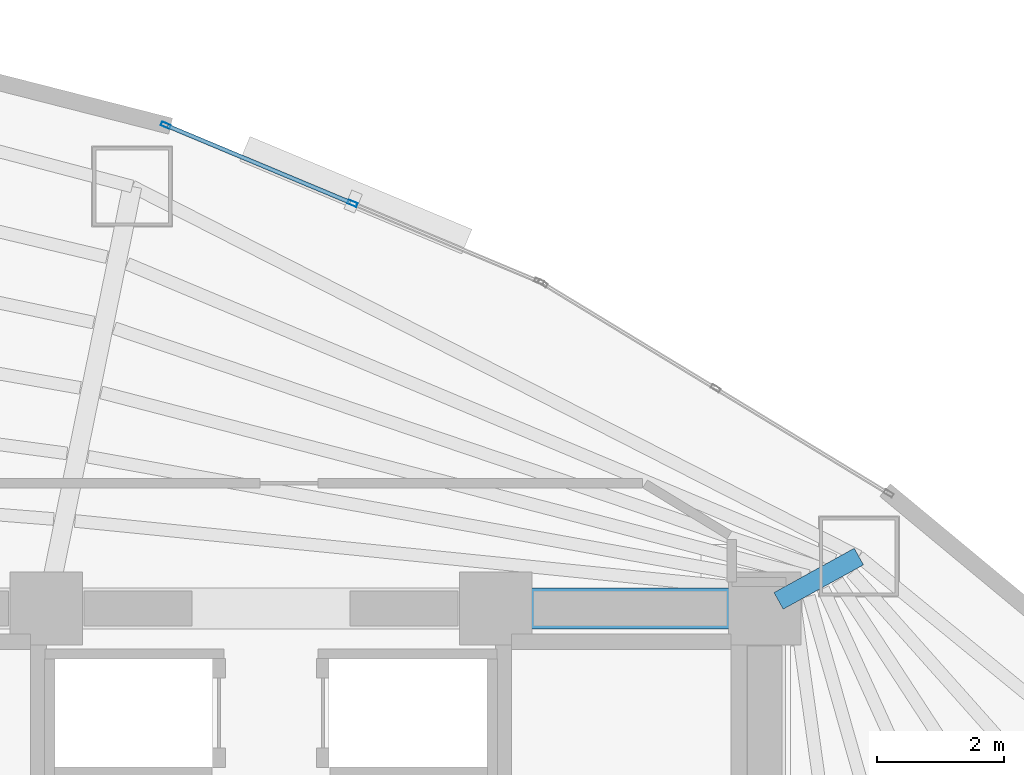
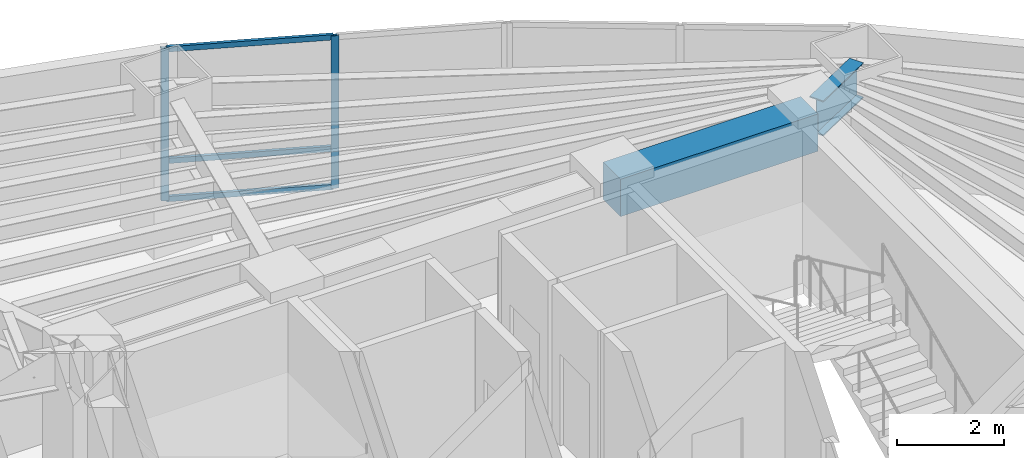
# One storey, part 9 of 18: 5 members, 2 beams, 1 element without a shape of its own.
"""IFC4 building model written with IfcOpenShell, lengths in metres."""

from ifc_helpers import new_model, si_unit, direction, frame, origin, origin_2d, place, context, subcontext, project, spatial, rectangle, hollow_rectangle, i_section, extrude, material, layer, layer_set, material_profile, profile_set, type_object, element, aggregate, save


model = new_model("IFC4")

# Units and contexts
model_context = context("Model", 3, precision=1e-05, world=origin(), true_north=direction((0.0, 1.0)))
body_context = subcontext(model_context, "Body", "Model", "MODEL_VIEW")
ifc_project = project(units=[si_unit("LENGTHUNIT", "METRE"), si_unit("AREAUNIT", "SQUARE_METRE"), si_unit("VOLUMEUNIT", "CUBIC_METRE"), si_unit("PLANEANGLEUNIT", "RADIAN"), si_unit("MASSUNIT", "GRAM", prefix="KILO")], contexts=[model_context])

# Site, building, storey
site_placement = place(None, origin())
site = spatial("IfcSite", under=ifc_project, at=site_placement, CompositionType="ELEMENT")
building_placement = place(site_placement, origin())
building = spatial("IfcBuilding", under=site, at=building_placement, Name="Menara Vayukalpa", CompositionType="ELEMENT")
storey_placement = place(building_placement, frame((0.0, 0.0, 96.5400390625)))
storey = spatial("IfcBuildingStorey", under=building, at=storey_placement, Name="L23", CompositionType="ELEMENT", Elevation=96.5400390625)

# Beams
ifc_material_1 = material(Name="Concrete C60/75", Category="concrete")
ifc_material_profile_1 = material_profile(ifc_material_1, rectangle(XDim=0.64990234375, YDim=0.85009765625, at=origin_2d()), Name="RC 650x850")
ifc_profile_set_1 = profile_set([ifc_material_profile_1], Name="Concrete C60/75")
beam_type_1 = type_object("IfcBeamType", Name="BM-CB1", PredefinedType="BEAM", material=ifc_profile_set_1)
beam_1_placement = place(storey_placement, frame((29.14990234375, 26.800048828125, 3.044921875), z_axis=(1.0, 0.0, 0.0), x_axis=(0.0, 1.0, 0.0)))
element("IfcBeam", 1, at=beam_1_placement, inside=storey, type_object=beam_type_1, Name="L23 Core Tie Beam CBR6", PredefinedType="BEAM", context=body_context, shape_type="SweptSolid", body=[
    extrude(rectangle(XDim=0.64990234375, YDim=0.85009765625, at=origin_2d()), origin(), (0.0, 0.0, 1.0), 4.25),
])
ifc_material_2 = material(Name="Steel S355", Category="steel")
ifc_material_profile_2 = material_profile(ifc_material_2, i_section(OverallWidth=0.300048828125, OverallDepth=0.800048828125, WebThickness=0.013916015625, FlangeThickness=0.02587890625, at=origin_2d()), Name="WF 800x300x14x26")
ifc_profile_set_2 = profile_set([ifc_material_profile_2], Name="Steel S355")
beam_type_2 = type_object("IfcBeamType", Name="BM-PG3", PredefinedType="BEAM", material=ifc_profile_set_2)
beam_2_placement = place(storey_placement, frame((33.618896484375, 26.9208984375, 3.070068359375), z_axis=(0.875228391676, 0.48370989488, 0.0), x_axis=(-0.48370989488, 0.875228391676, 0.0)))
element("IfcBeam", 2, at=beam_2_placement, inside=storey, type_object=beam_type_2, Name="L23 Primary Radial Girder RG02", PredefinedType="BEAM", context=body_context, shape_type="SweptSolid", body=[
    extrude(i_section(OverallWidth=0.300048828125, OverallDepth=0.800048828125, WebThickness=0.013916015625, FlangeThickness=0.02587890625, at=origin_2d()), origin(), (0.0, 0.0, 1.0), 1.448486328125),
])

# Curtain wall, members
ifc_material_3 = material(Name="Anodised Terracotta Aluminium Alloy 6063-T6", Category="masonry")
ifc_layer = layer(ifc_material_3, 0.14990234375)
ifc_layer_set = layer_set([ifc_layer], Name="Anodised Terracotta Aluminium Alloy 6063-T6")
curtain_wall_type = type_object("IfcCurtainWallType", Name="CW-CW3", PredefinedType="USERDEFINED", material=ifc_layer_set)
curtain_wall_placement = place(storey_placement, origin())
curtain_wall = element("IfcCurtainWall", 3, at=curtain_wall_placement, inside=storey, type_object=curtain_wall_type, Name="L23 Mid Rise Terracotta Ribbon Curtain Wall CW3 05", ObjectType="UNITISED", PredefinedType="USERDEFINED")
ifc_material_4 = material(Name="Anodised Terracotta Aluminium Alloy 6063-T6", Category="masonry")
ifc_material_profile_3 = material_profile(ifc_material_4, hollow_rectangle(XDim=0.06494140625, YDim=0.14990234375, WallThickness=0.00341796875, at=origin_2d()), Name="ALU 65x150x3.5")
ifc_profile_set_3 = profile_set([ifc_material_profile_3], Name="Anodised Terracotta Aluminium Alloy 6063-T6")
member_type_1 = type_object("IfcMemberType", Name="CWM-CW3", PredefinedType="MULLION", material=ifc_profile_set_3)
member_1_placement = place(storey_placement, frame((26.88671875, 33.201416015625, 0.0), z_axis=(0.0, 0.0, 1.0), x_axis=(-0.38589358437, -0.922543300632, 0.0)))
member_1 = element("IfcMember", 4, at=member_1_placement, type_object=member_type_1, Name="CW3 mullion 2", PredefinedType="MULLION", context=body_context, shape_type="SweptSolid", body=[
    extrude(hollow_rectangle(XDim=0.06494140625, YDim=0.14990234375, WallThickness=0.00341796875, at=origin_2d()), origin(), (0.0, 0.0, 1.0), 3.469970703125),
])
member_2_placement = place(storey_placement, frame((23.9375, 34.43505859375, 0.0), z_axis=(0.0, 0.0, 1.0), x_axis=(-0.38589358437, -0.922543300632, 0.0)))
member_2 = element("IfcMember", 5, at=member_2_placement, type_object=member_type_1, Name="CW3 mullion 3", PredefinedType="MULLION", context=body_context, shape_type="SweptSolid", body=[
    extrude(hollow_rectangle(XDim=0.06494140625, YDim=0.14990234375, WallThickness=0.00341796875, at=origin_2d()), origin(), (0.0, 0.0, 1.0), 3.469970703125),
])
ifc_material_5 = material(Name="Anodised Terracotta Aluminium Alloy 6063-T6", Category="masonry")
ifc_material_profile_4 = material_profile(ifc_material_5, hollow_rectangle(XDim=0.06494140625, YDim=0.1201171875, WallThickness=0.00341796875, at=origin_2d()), Name="ALU 65x120x3.5")
ifc_profile_set_4 = profile_set([ifc_material_profile_4], Name="Anodised Terracotta Aluminium Alloy 6063-T6")
member_type_2 = type_object("IfcMemberType", Name="CWT-CW3", PredefinedType="USERDEFINED", material=ifc_profile_set_4)
member_3_placement = place(storey_placement, frame((26.856689453125, 33.2138671875, 0.032470703125), z_axis=(-0.922529423765, 0.385926757673, 0.0), x_axis=(-0.385926757673, -0.922529423765, 0.0)))
member_3 = element("IfcMember", 6, at=member_3_placement, type_object=member_type_2, Name="CW3 transom 2.1", ObjectType="TRANSOM", PredefinedType="USERDEFINED", context=body_context, shape_type="SweptSolid", body=[
    extrude(hollow_rectangle(XDim=0.06494140625, YDim=0.1201171875, WallThickness=0.00341796875, at=origin_2d()), origin(), (0.0, 0.0, 1.0), 3.132080078125),
])
member_4_placement = place(storey_placement, frame((26.856689453125, 33.2138671875, 0.89990234375), z_axis=(-0.922529423765, 0.385926757673, 0.0), x_axis=(-0.385926757673, -0.922529423765, 0.0)))
member_4 = element("IfcMember", 7, at=member_4_placement, type_object=member_type_2, Name="CW3 transom 2.2", ObjectType="TRANSOM", PredefinedType="USERDEFINED", context=body_context, shape_type="SweptSolid", body=[
    extrude(hollow_rectangle(XDim=0.06494140625, YDim=0.1201171875, WallThickness=0.00341796875, at=origin_2d()), origin(), (0.0, 0.0, 1.0), 3.132080078125),
])
member_5_placement = place(storey_placement, frame((26.856689453125, 33.2138671875, 3.4375), z_axis=(-0.922529423765, 0.385926757673, 0.0), x_axis=(-0.385926757673, -0.922529423765, 0.0)))
member_5 = element("IfcMember", 8, at=member_5_placement, type_object=member_type_2, Name="CW3 transom 2.3", ObjectType="TRANSOM", PredefinedType="USERDEFINED", context=body_context, shape_type="SweptSolid", body=[
    extrude(hollow_rectangle(XDim=0.06494140625, YDim=0.1201171875, WallThickness=0.00341796875, at=origin_2d()), origin(), (0.0, 0.0, 1.0), 3.132080078125),
])
aggregate(curtain_wall, [member_1, member_2, member_3, member_4, member_5])

save(model, "model.ifc")
